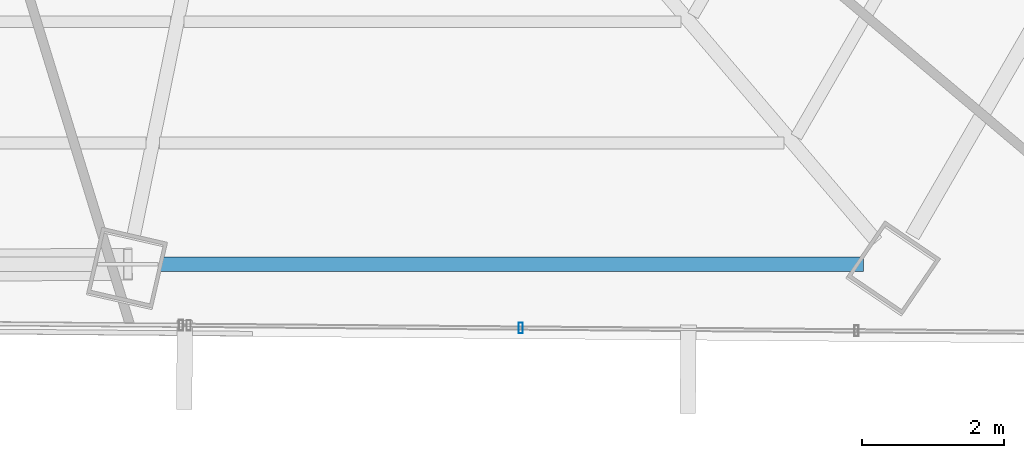
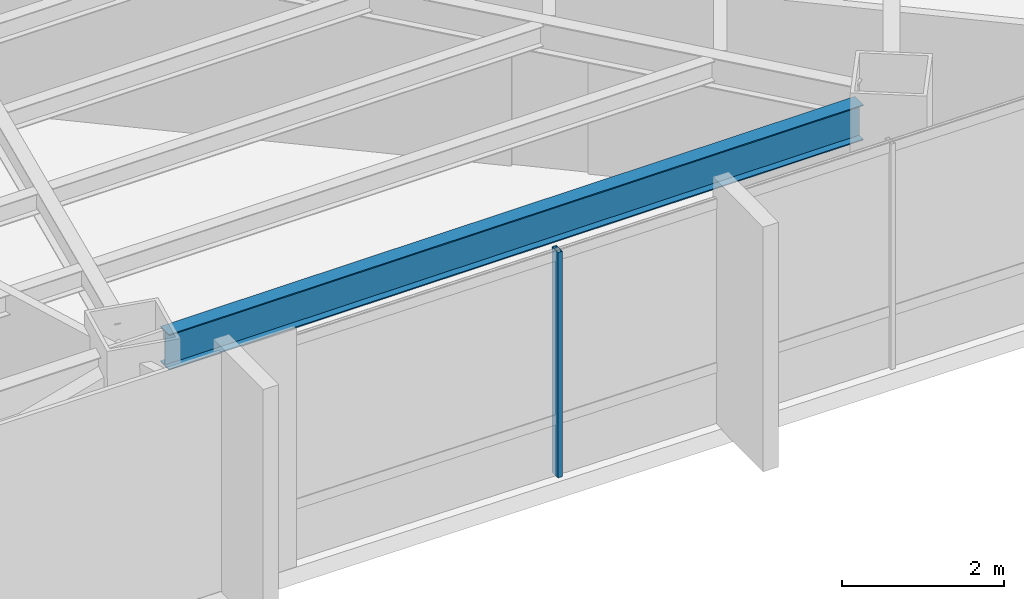
# One storey, part 17 of 39: 1 beam, 1 member, 1 element without a shape of its own.
"""IFC4 building model written with IfcOpenShell, lengths in metres."""

from ifc_helpers import new_model, si_unit, direction, frame, origin, origin_2d, place, context, subcontext, project, spatial, hollow_rectangle, i_section, extrude, source, transform, mapped, material, material_profile, profile_set, type_object, type_shapes, element, aggregate, save


model = new_model("IFC4")

# Units and contexts
model_context = context("Model", 3, precision=1e-05, world=origin(), true_north=direction((0.0, 1.0)))
body_context = subcontext(model_context, "Body", "Model", "MODEL_VIEW")
ifc_project = project(units=[si_unit("LENGTHUNIT", "METRE"), si_unit("AREAUNIT", "SQUARE_METRE"), si_unit("VOLUMEUNIT", "CUBIC_METRE"), si_unit("PLANEANGLEUNIT", "RADIAN"), si_unit("MASSUNIT", "GRAM", prefix="KILO")], contexts=[model_context])

# Site, building, storey
site_placement = place(None, origin())
site = spatial("IfcSite", under=ifc_project, at=site_placement, CompositionType="ELEMENT")
building_placement = place(site_placement, origin())
building = spatial("IfcBuilding", under=site, at=building_placement, Name="Caelisora Broadcast Tower", CompositionType="ELEMENT")
storey_placement = place(building_placement, frame((0.0, 0.0, 142.75)))
storey = spatial("IfcBuildingStorey", under=building, at=storey_placement, Name="L37", CompositionType="ELEMENT", Elevation=142.75)

# Beam
ifc_material_1 = material(Name="Steel Grade 350 (AS/NZS 3679.1)", Category="steel")
ifc_material_profile_1 = material_profile(ifc_material_1, i_section(OverallWidth=0.208984375, OverallDepth=0.532958984375, WebThickness=0.01025390625, FlangeThickness=0.015625, at=origin_2d()), Name="Steel Grade 350 (AS/NZS 3679.1)")
ifc_profile_set_1 = profile_set([ifc_material_profile_1], Name="Steel Grade 350 (AS/NZS 3679.1)")
beam_type = type_object("IfcBeamType", Name="PG05", PredefinedType="BEAM", material=ifc_profile_set_1)
shared_shape_1 = source(origin(), body_context, "Body", "SweptSolid", [
    extrude(i_section(OverallWidth=0.208984375, OverallDepth=0.532958984375, WebThickness=0.01025390625, FlangeThickness=0.015625, at=origin_2d()), origin(), (0.0, 0.0, 1.0), 9.901611328125),
])
type_shapes(beam_type, [shared_shape_1])
beam_placement = place(storey_placement, frame((43.870849609375, 7.153076171875, 3.133544921875), z_axis=(1.0, 0.0, 0.0), x_axis=(0.0, 1.0, 0.0)))
element("IfcBeam", 1, at=beam_placement, inside=storey, type_object=beam_type, Name="L37 beam PG05", PredefinedType="BEAM", context=body_context, shape_type="MappedRepresentation", body=[
    mapped(shared_shape_1, transform((0.0, 0.0, 0.0), scale=1.0)),
])

# Curtain wall, member
ifc_material_2 = material(Name="Unitised Aluminium and Low-E Glass Curtain Wall", Category="glass")
curtain_wall_type = type_object("IfcCurtainWallType", Name="CW-Z3", PredefinedType="NOTDEFINED", material=ifc_material_2)
curtain_wall_placement = place(storey_placement, origin())
curtain_wall = element("IfcCurtainWall", 2, at=curtain_wall_placement, inside=storey, type_object=curtain_wall_type, Name="L37 curtain wall CW-Z3", PredefinedType="NOTDEFINED")
ifc_material_3 = material(Name="Aluminium 6063-T6 Anodised Terracotta Bronze", Category="aluminium")
ifc_material_profile_2 = material_profile(ifc_material_3, hollow_rectangle(XDim=0.06005859375, YDim=0.14990234375, WallThickness=0.00341796875, at=origin_2d()), Name="Aluminium 6063-T6 Anodised Terracotta Bronze")
ifc_profile_set_2 = profile_set([ifc_material_profile_2], Name="Aluminium 6063-T6 Anodised Terracotta Bronze")
member_type = type_object("IfcMemberType", Name="CWM-03", PredefinedType="MULLION", material=ifc_profile_set_2)
shared_shape_2 = source(origin(), body_context, "Body", "SweptSolid", [
    extrude(hollow_rectangle(XDim=0.06005859375, YDim=0.14990234375, WallThickness=0.00341796875, at=origin_2d()), origin(), (0.0, 0.0, 1.0), 3.39990234375),
])
type_shapes(member_type, [shared_shape_2])
member_placement = place(storey_placement, frame((48.946044921875, 6.25341796875, 0.0), z_axis=(0.0, 0.0, 1.0), x_axis=(1.0, 0.0, 0.0)))
member = element("IfcMember", 3, at=member_placement, type_object=member_type, Name="L37-CW-B05 mullion #2", PredefinedType="MULLION", context=body_context, shape_type="MappedRepresentation", body=[
    mapped(shared_shape_2, transform((0.0, 0.0, 0.0), scale=1.0)),
])
aggregate(curtain_wall, [member])

save(model, "model.ifc")
